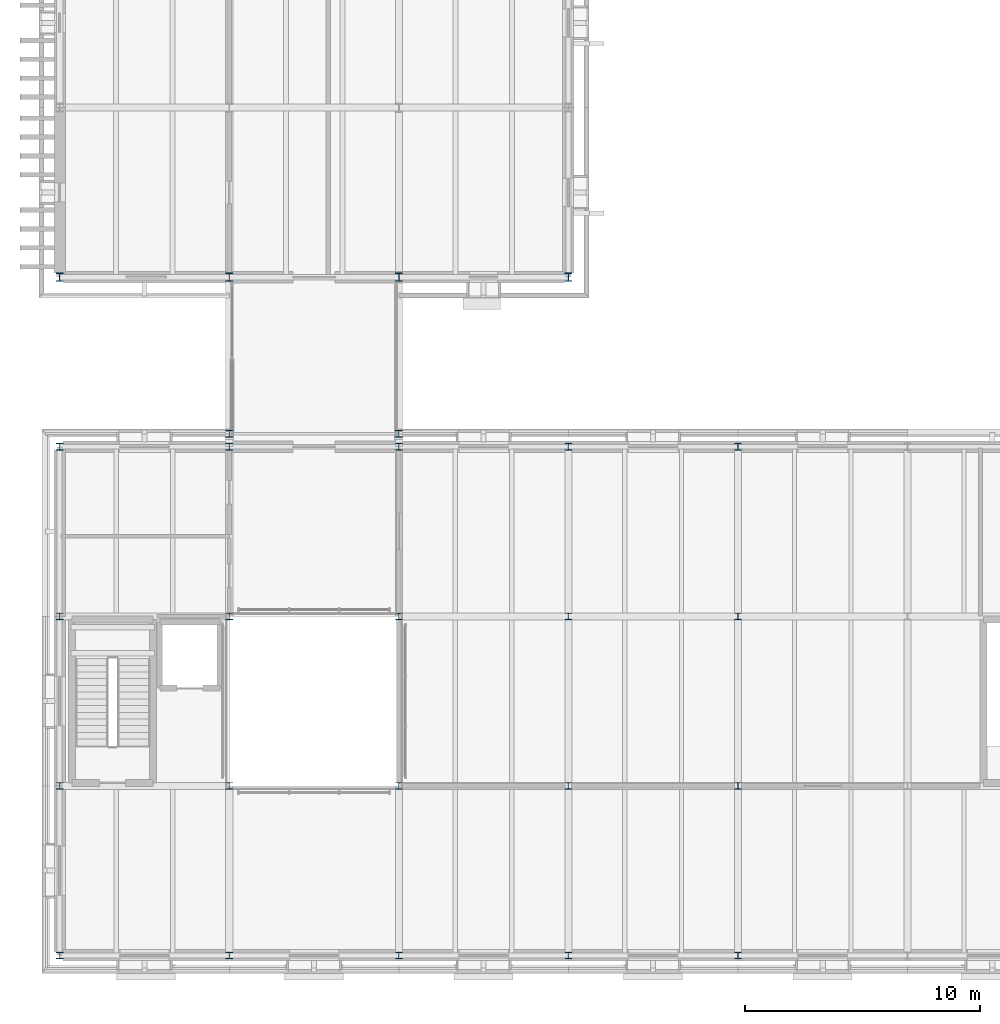
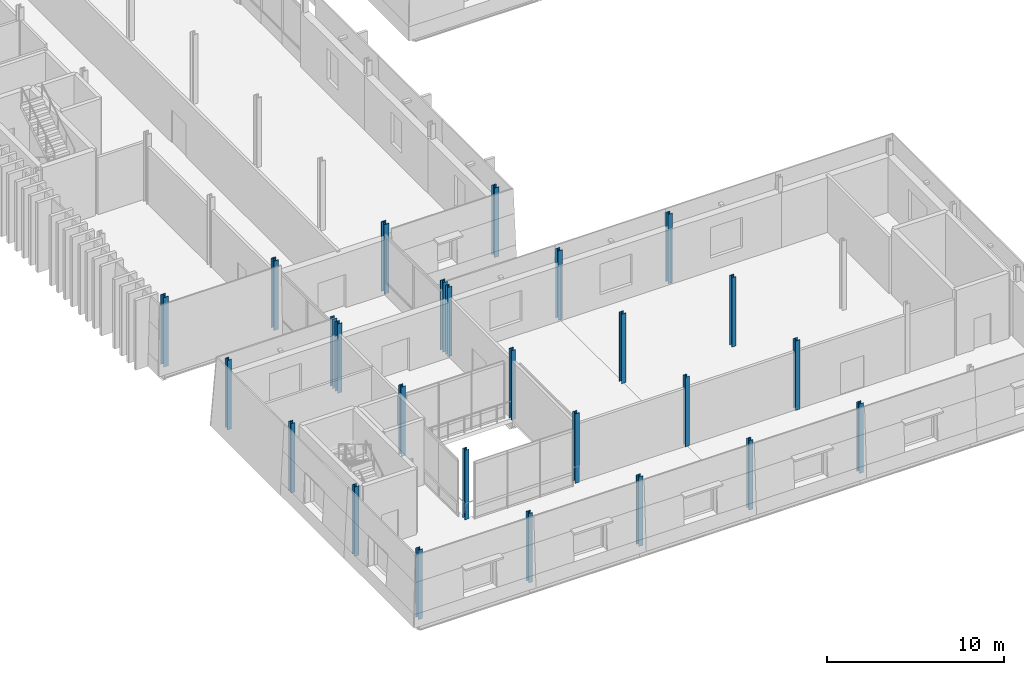
# One storey, part 1 of 121: 26 columns.
"""IFC4 building model written with IfcOpenShell, lengths in metres."""

import ifcopenshell
import ifcopenshell.guid

model = None  # the IFC model being written
_history = None  # IfcOwnerHistory: only IFC2X3 demands one
_inside = {}  # id of a spatial element -> (the spatial element, [elements in it])
_under = {}  # id of a project, library or spatial element -> (it, [spatial elements below it])
_declared = {}  # id of a project -> (the project, [libraries it declares])
_typed = {}  # id of a type object -> (the type object, [elements of that type])
_made_of = {}  # id of a material, layer set ... -> (it, [elements and type objects made of it])


def new_model(schema):
    """Start an empty IFC model of exactly this schema.

    Asked for "IFC4X3", IfcOpenShell would pick the latest addendum, in which some entities
    have other attributes; the version numbers below select the first issue.
    IFC2X3 requires an IfcOwnerHistory on every rooted entity: one is made here for all.
    """
    global model, _history
    if schema == "IFC4X3":
        model = ifcopenshell.file(schema_version=(4, 3, 0, 0))
    else:
        model = ifcopenshell.file(schema=schema)
    _inside.clear()
    _under.clear()
    _declared.clear()
    _typed.clear()
    _made_of.clear()
    _history = None
    if model.schema == "IFC2X3":
        org = make("IfcOrganization", Name="unknown")
        user = make(
            "IfcPersonAndOrganization",
            ThePerson=make("IfcPerson", FamilyName="unknown"),
            TheOrganization=org,
        )
        app = make(
            "IfcApplication",
            ApplicationDeveloper=org,
            Version="unknown",
            ApplicationFullName="unknown",
            ApplicationIdentifier="unknown",
        )
        _history = make(
            "IfcOwnerHistory",
            OwningUser=user,
            OwningApplication=app,
            ChangeAction="ADDED",
            CreationDate=0,
        )
    return model


def make(cls, **values):
    """One entity of the class cls with the attributes given. An attribute that is None is left unset."""
    return model.create_entity(
        cls, **{name: value for name, value in values.items() if value is not None}
    )


def rooted(cls, **values):
    """An entity with a GlobalId (a new one), such as an element, a storey or a relation."""
    return make(cls, GlobalId=ifcopenshell.guid.new(), OwnerHistory=_history, **values)


def si_unit(unit_type, name, prefix=None):
    """IfcSIUnit, for example si_unit("LENGTHUNIT", "METRE", prefix="MILLI")."""
    return make("IfcSIUnit", UnitType=unit_type, Prefix=prefix, Name=name)


def assignment(units):
    """IfcUnitAssignment: the units of a project."""
    return None if units is None else make("IfcUnitAssignment", Units=units)


def point(xyz):
    """IfcCartesianPoint."""
    return None if xyz is None else make("IfcCartesianPoint", Coordinates=xyz)


def direction(xyz):
    """IfcDirection."""
    return None if xyz is None else make("IfcDirection", DirectionRatios=xyz)


def frame(location, z_axis=None, x_axis=None):
    """IfcAxis2Placement3D, a coordinate frame: its origin and axes. An axis left out is left unset."""
    return make(
        "IfcAxis2Placement3D",
        Location=point(location),
        Axis=direction(z_axis),
        RefDirection=direction(x_axis),
    )


def frame_2d(location, x_axis=None):
    """IfcAxis2Placement2D, a coordinate frame in the plane: its origin and x axis."""
    return make(
        "IfcAxis2Placement2D", Location=point(location), RefDirection=direction(x_axis)
    )


def origin():
    """The frame at (0, 0, 0) with its axes left unset."""
    return frame((0.0, 0.0, 0.0))


def origin_2d():
    """The frame at (0, 0) in the plane with its x axis left unset."""
    return frame_2d((0.0, 0.0))


def place(relative_to, where):
    """IfcLocalPlacement: puts the frame where relative to a parent placement (None: the world)."""
    return make(
        "IfcLocalPlacement", PlacementRelTo=relative_to, RelativePlacement=where
    )


def context(
    kind, dimensions, precision=None, world=None, true_north=None, identifier=None
):
    """IfcGeometricRepresentationContext, for example the 3D "Model" context."""
    return make(
        "IfcGeometricRepresentationContext",
        ContextIdentifier=identifier,
        ContextType=kind,
        CoordinateSpaceDimension=dimensions,
        Precision=precision,
        WorldCoordinateSystem=world,
        TrueNorth=true_north,
    )


def subcontext(parent, identifier, kind, view, scale=None):
    """IfcGeometricRepresentationSubContext, for example "Body" below "Model"."""
    return make(
        "IfcGeometricRepresentationSubContext",
        ContextIdentifier=identifier,
        ContextType=kind,
        ParentContext=parent,
        TargetScale=scale,
        TargetView=view,
    )


def project(units=None, contexts=None):
    """IfcProject with its units and contexts."""
    return rooted(
        "IfcProject",
        Name="project",
        RepresentationContexts=contexts,
        UnitsInContext=assignment(units),
    )


def spatial(cls, under=None, at=None, **own):
    """A site, building, storey or space (cls), placed at a placement, below another one or the project."""
    s = rooted(cls, ObjectPlacement=at, **own)
    if under is not None:
        _under.setdefault(under.id(), (under, []))[1].append(s)
    return s


def profile(cls, at=None, kind="AREA", **sizes):
    """A parametric profile (cls). Its sizes go by their IFC names, for example OverallWidth=200.0."""
    return make(cls, ProfileType=kind, Position=at, **sizes)


def i_section(**sizes):
    """IfcIShapeProfileDef."""
    return profile("IfcIShapeProfileDef", **sizes)


def extrude(swept, where, along, depth):
    """IfcExtrudedAreaSolid: the profile swept, set in the frame where, extruded along a direction by depth."""
    return make(
        "IfcExtrudedAreaSolid",
        SweptArea=swept,
        Position=where,
        ExtrudedDirection=direction(along),
        Depth=depth,
    )


def shape(context_of_items, identifier, shape_type, items):
    """IfcShapeRepresentation: the items that make up one representation, for example the "Body"."""
    return make(
        "IfcShapeRepresentation",
        ContextOfItems=context_of_items,
        RepresentationIdentifier=identifier,
        RepresentationType=shape_type,
        Items=items,
    )


def material(Name=None, Category=None):
    """IfcMaterial."""
    return make("IfcMaterial", Name=Name, Category=Category)


def material_profile(
    of_material, cross_section, Name=None, Category=None, Priority=None
):
    """IfcMaterialProfile: a cross section and its material."""
    return make(
        "IfcMaterialProfile",
        Name=Name,
        Material=of_material,
        Profile=cross_section,
        Priority=Priority,
        Category=Category,
    )


def profile_set(profiles, Name=None, composite=None):
    """IfcMaterialProfileSet."""
    return make(
        "IfcMaterialProfileSet",
        Name=Name,
        MaterialProfiles=profiles,
        CompositeProfile=composite,
    )


def made_of(thing, what):
    """Note that an element or type object is made of a material, layer set ...; save() writes the relation."""
    if what is not None:
        _made_of.setdefault(what.id(), (what, []))[1].append(thing)
    return thing


def type_object(cls, material=None, **own):
    """A type object (cls), such as IfcWallType, which elements share."""
    return made_of(rooted(cls, **own), material)


def element(
    cls,
    number,
    at=None,
    inside=None,
    cuts=None,
    type_object=None,
    material=None,
    context=None,
    identifier="Body",
    shape_type=None,
    held_by="IfcProductDefinitionShape",
    body=None,
    shapes=None,
    **own,
):
    """One element of the class cls, such as IfcWall. Its Tag is "e" and its number.

    at: its placement. inside: the storey or other place that contains it. cuts: it is an
    opening in that element (IfcRelVoidsElement). A single representation is given by context,
    identifier, shape_type and body (its items); several are given by shapes. held_by: the class
    of the entity that holds the representations. save() writes the other relations.
    """
    e = rooted(cls, Tag="e%d" % number, ObjectPlacement=at, **own)
    if body is not None:
        shapes = [shape(context, identifier, shape_type, body)]
    if shapes is not None:
        e.Representation = make(held_by, Representations=shapes)
    if inside is not None:
        _inside.setdefault(inside.id(), (inside, []))[1].append(e)
    if cuts is not None:
        rooted(
            "IfcRelVoidsElement", RelatingBuildingElement=cuts, RelatedOpeningElement=e
        )
    if type_object is not None:
        _typed.setdefault(type_object.id(), (type_object, []))[1].append(e)
    return made_of(e, material)


def aggregate(whole, parts):
    """IfcRelAggregates: a whole, such as a stair, and the parts it consists of."""
    return rooted("IfcRelAggregates", RelatingObject=whole, RelatedObjects=parts)


def save(model, path):
    """Write the relations noted so far, then the file.

    IfcRelAggregates (storeys below a building ...), IfcRelContainedInSpatialStructure (elements
    in a storey), IfcRelDefinesByType, IfcRelAssociatesMaterial and IfcRelDeclares: one each for
    every whole, place, type object, material and project.
    """
    for whole, parts in _under.values():
        aggregate(whole, parts)
    for where, things in _inside.values():
        rooted(
            "IfcRelContainedInSpatialStructure",
            RelatedElements=things,
            RelatingStructure=where,
        )
    for kind, things in _typed.values():
        rooted("IfcRelDefinesByType", RelatedObjects=things, RelatingType=kind)
    for what, things in _made_of.values():
        rooted("IfcRelAssociatesMaterial", RelatedObjects=things, RelatingMaterial=what)
    for by, libraries in _declared.values():
        rooted("IfcRelDeclares", RelatingContext=by, RelatedDefinitions=libraries)
    model.write(path)


model = new_model("IFC4")

# Units and contexts
model_context = context("Model", 3, precision=1e-05, world=origin(), true_north=direction((0.0, 1.0)))
body_context = subcontext(model_context, "Body", "Model", "MODEL_VIEW")
ifc_project = project(units=[si_unit("LENGTHUNIT", "METRE"), si_unit("AREAUNIT", "SQUARE_METRE"), si_unit("VOLUMEUNIT", "CUBIC_METRE"), si_unit("PLANEANGLEUNIT", "RADIAN"), si_unit("MASSUNIT", "GRAM", prefix="KILO")], contexts=[model_context])

# Site, building, storey
site_placement = place(None, origin())
site = spatial("IfcSite", under=ifc_project, at=site_placement, CompositionType="ELEMENT")
building_placement = place(site_placement, origin())
building = spatial("IfcBuilding", under=site, at=building_placement, Name="Narikvali Park Central Library", CompositionType="ELEMENT")
storey_placement = place(building_placement, frame((0.0, 0.0, 5.39990234375)))
storey = spatial("IfcBuildingStorey", under=building, at=storey_placement, Name="L01", CompositionType="ELEMENT", Elevation=5.39990234375)

# Columns
ifc_material = material(Name="Steel S355", Category="steel")
ifc_material_profile_1 = material_profile(ifc_material, i_section(OverallWidth=0.280029296875, OverallDepth=0.280029296875, WebThickness=0.010498046875, FlangeThickness=0.01806640625, FilletRadius=0.02392578125, at=origin_2d()), Name="HEB 280")
ifc_profile_set_1 = profile_set([ifc_material_profile_1], Name="Steel S355")
column_type_1 = type_object("IfcColumnType", Name="Steel Column HEB280", PredefinedType="COLUMN", material=ifc_profile_set_1)
for number, where, z_axis, x_axis, name in (
    (1, (0.0, 0.0, 0.0), (0.0, 0.0, 1.0), (1.0, 0.0, 0.0), "V2 L01 Column (0.0,0.0)"),
    (2, (0.0, 7.199951171875, 0.0), (0.0, 0.0, 1.0), (1.0, 0.0, 0.0), "V2 L01 Column (0.0,7.2)"),
    (3, (0.0, 14.39990234375, 0.0), (0.0, 0.0, 1.0), (1.0, 0.0, 0.0), "V2 L01 Column (0.0,14.4)"),
    (4, (0.0, 21.60009765625, 0.0), (0.0, 0.0, 1.0), (1.0, 0.0, 0.0), "V2 L01 Column (0.0,21.6)"),
    (5, (7.199951171875, 0.0, 0.0), (0.0, 0.0, 1.0), (1.0, 0.0, 0.0), "V2 L01 Column (7.2,0.0)"),
    (6, (7.199951171875, 7.199951171875, 0.0), (0.0, 0.0, 1.0), (1.0, 0.0, 0.0), "V2 L01 Column (7.2,7.2)"),
    (7, (7.199951171875, 14.39990234375, 0.0), (0.0, 0.0, 1.0), (1.0, 0.0, 0.0), "V2 L01 Column (7.2,14.4)"),
    (8, (7.199951171875, 21.60009765625, 0.0), (0.0, 0.0, 1.0), (1.0, 0.0, 0.0), "V2 L01 Column (7.2,21.6)"),
    (9, (14.39990234375, 0.0, 0.0), (0.0, 0.0, 1.0), (1.0, 0.0, 0.0), "V2 L01 Column (14.4,0.0)"),
    (10, (14.39990234375, 7.199951171875, 0.0), (0.0, 0.0, 1.0), (1.0, 0.0, 0.0), "V2 L01 Column (14.4,7.2)"),
    (11, (14.39990234375, 14.39990234375, 0.0), (0.0, 0.0, 1.0), (1.0, 0.0, 0.0), "V2 L01 Column (14.4,14.4)"),
    (12, (14.39990234375, 21.60009765625, 0.0), (0.0, 0.0, 1.0), (1.0, 0.0, 0.0), "V2 L01 Column (14.4,21.6)"),
    (13, (21.60009765625, 0.0, 0.0), (0.0, 0.0, 1.0), (1.0, 0.0, 0.0), "V2 L01 Column (21.6,0.0)"),
    (14, (21.60009765625, 7.199951171875, 0.0), (0.0, 0.0, 1.0), (1.0, 0.0, 0.0), "V2 L01 Column (21.6,7.2)"),
    (15, (21.60009765625, 14.39990234375, 0.0), (0.0, 0.0, 1.0), (1.0, 0.0, 0.0), "V2 L01 Column (21.6,14.4)"),
    (16, (21.60009765625, 21.60009765625, 0.0), (0.0, 0.0, 1.0), (1.0, 0.0, 0.0), "V2 L01 Column (21.6,21.6)"),
    (17, (28.800048828125, 0.0, 0.0), (0.0, 0.0, 1.0), (1.0, 0.0, 0.0), "V2 L01 Column (28.8,0.0)"),
    (18, (28.800048828125, 7.199951171875, 0.0), (0.0, 0.0, 1.0), (1.0, 0.0, 0.0), "V2 L01 Column (28.8,7.2)"),
    (19, (28.800048828125, 14.39990234375, 0.0), (0.0, 0.0, 1.0), (1.0, 0.0, 0.0), "V2 L01 Column (28.8,14.4)"),
    (20, (28.800048828125, 21.60009765625, 0.0), (0.0, 0.0, 1.0), (1.0, 0.0, 0.0), "V2 L01 Column (28.8,21.6)"),
):
    element("IfcColumn", number, at=place(storey_placement, frame(where, z_axis=z_axis, x_axis=x_axis)), inside=storey, type_object=column_type_1, Name=name, PredefinedType="COLUMN", context=body_context, shape_type="SweptSolid", body=[
        extrude(i_section(OverallWidth=0.280029296875, OverallDepth=0.280029296875, WebThickness=0.010498046875, FlangeThickness=0.01806640625, FilletRadius=0.02392578125, at=origin_2d()), origin(), (0.0, 0.0, 1.0), 4.800048828125),
    ])
ifc_material_profile_2 = material_profile(ifc_material, i_section(OverallWidth=0.300048828125, OverallDepth=0.300048828125, WebThickness=0.010986328125, FlangeThickness=0.01904296875, FilletRadius=0.027099609375, at=origin_2d()), Name="HEB 300")
ifc_profile_set_2 = profile_set([ifc_material_profile_2], Name="Steel S355")
column_type_2 = type_object("IfcColumnType", Name="Steel Column HEB300", PredefinedType="COLUMN", material=ifc_profile_set_2)
for number, where, z_axis, x_axis, name in (
    (21, (7.199951171875, 22.14990234375, 0.0), (0.0, 0.0, 1.0), (1.0, 0.0, 0.0), "BRG-5 Bridge Pier L01"),
    (22, (14.39990234375, 22.14990234375, 0.0), (0.0, 0.0, 1.0), (1.0, 0.0, 0.0), "BRG-5 Bridge Pier L01"),
):
    element("IfcColumn", number, at=place(storey_placement, frame(where, z_axis=z_axis, x_axis=x_axis)), inside=storey, type_object=column_type_2, Name=name, PredefinedType="COLUMN", context=body_context, shape_type="SweptSolid", body=[
        extrude(i_section(OverallWidth=0.300048828125, OverallDepth=0.300048828125, WebThickness=0.010986328125, FlangeThickness=0.01904296875, FilletRadius=0.027099609375, at=origin_2d()), origin(), (0.0, 0.0, 1.0), 4.800048828125),
    ])
ifc_material_profile_3 = material_profile(ifc_material, i_section(OverallWidth=0.30908203125, OverallDepth=0.35888671875, WebThickness=0.02099609375, FlangeThickness=0.034912109375, FilletRadius=0.027099609375, at=origin_2d()), Name="HEM 320")
ifc_profile_set_3 = profile_set([ifc_material_profile_3], Name="Steel S355")
column_type_3 = type_object("IfcColumnType", Name="Steel Column HEM320", PredefinedType="COLUMN", material=ifc_profile_set_3)
for number, where, z_axis, x_axis, name in (
    (23, (0.0, 28.800048828125, 0.0), (0.0, 0.0, 1.0), (1.0, 0.0, 0.0), "V5 L01 Column (0.0,28.8)"),
    (24, (7.199951171875, 28.800048828125, 0.0), (0.0, 0.0, 1.0), (1.0, 0.0, 0.0), "V5 L01 Column (7.2,28.8)"),
    (25, (14.39990234375, 28.800048828125, 0.0), (0.0, 0.0, 1.0), (1.0, 0.0, 0.0), "V5 L01 Column (14.4,28.8)"),
    (26, (21.60009765625, 28.800048828125, 0.0), (0.0, 0.0, 1.0), (1.0, 0.0, 0.0), "V5 L01 Column (21.6,28.8)"),
):
    element("IfcColumn", number, at=place(storey_placement, frame(where, z_axis=z_axis, x_axis=x_axis)), inside=storey, type_object=column_type_3, Name=name, PredefinedType="COLUMN", context=body_context, shape_type="SweptSolid", body=[
        extrude(i_section(OverallWidth=0.30908203125, OverallDepth=0.35888671875, WebThickness=0.02099609375, FlangeThickness=0.034912109375, FilletRadius=0.027099609375, at=origin_2d()), origin(), (0.0, 0.0, 1.0), 4.800048828125),
    ])

save(model, "model.ifc")
